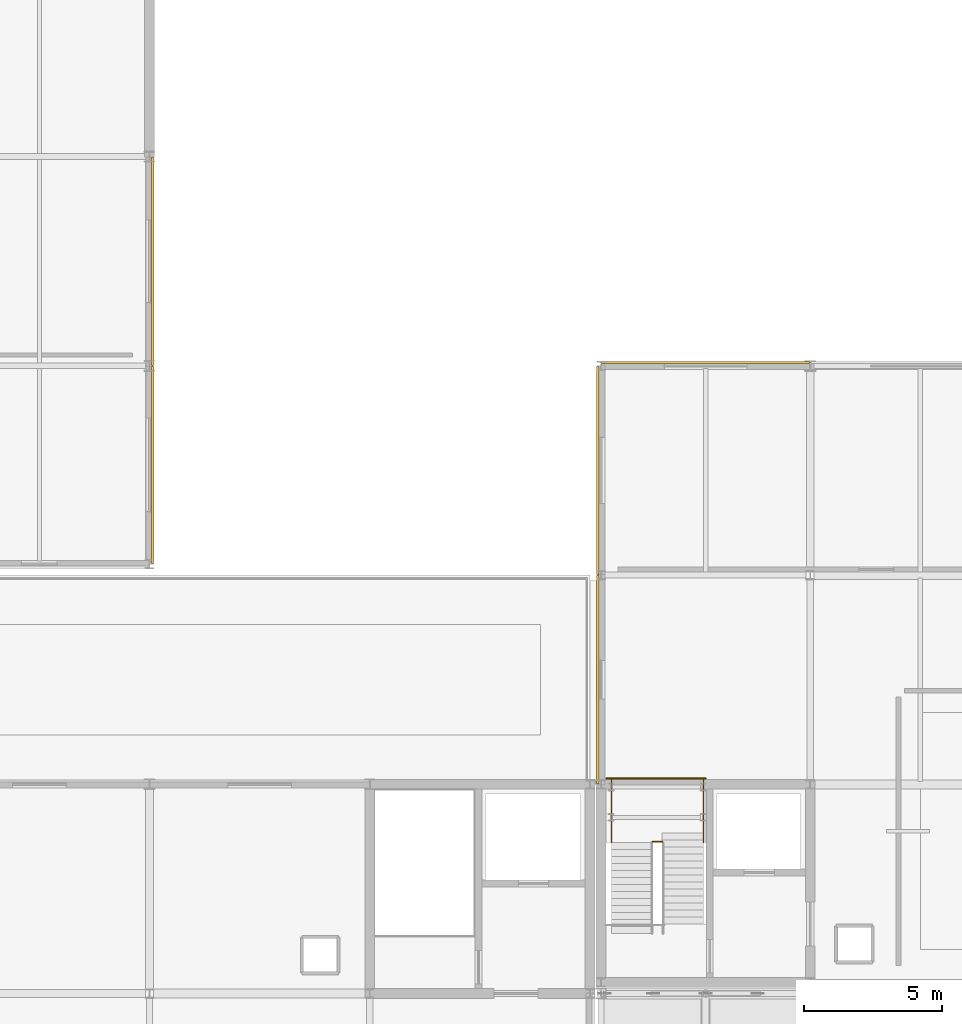
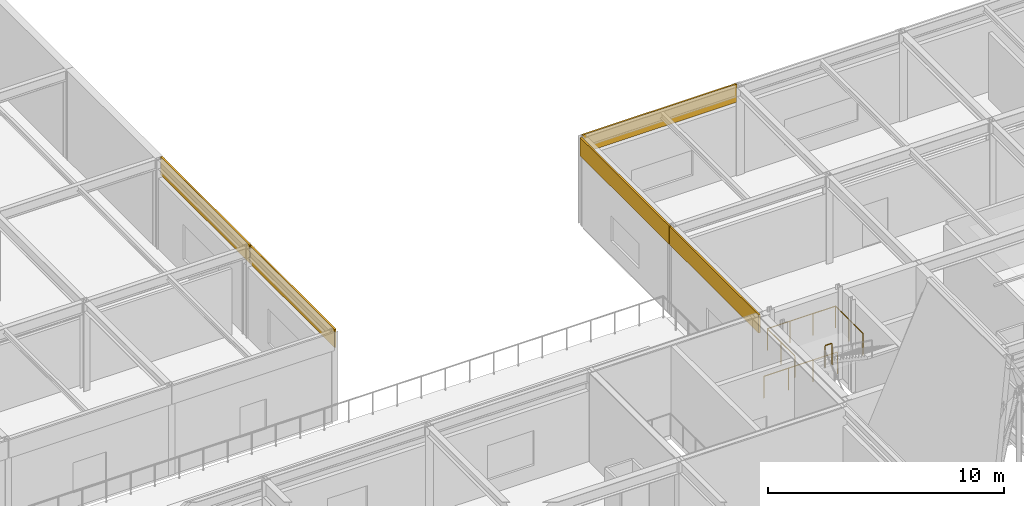
# One storey, part 98 of 100: 5 coverings, 3 railings.
"""IFC4 building model written with IfcOpenShell, lengths in metres."""

from ifc_helpers import new_model, si_unit, direction, frame, origin, origin_2d, place, context, subcontext, project, spatial, rectangle, circle, extrude, material, layer, layer_set, type_object, element, save


model = new_model("IFC4")

# Units and contexts
model_context = context("Model", 3, precision=1e-05, world=origin(), true_north=direction((0.0, 1.0)))
body_context = subcontext(model_context, "Body", "Model", "MODEL_VIEW")
ifc_project = project(units=[si_unit("LENGTHUNIT", "METRE"), si_unit("AREAUNIT", "SQUARE_METRE"), si_unit("VOLUMEUNIT", "CUBIC_METRE"), si_unit("PLANEANGLEUNIT", "RADIAN"), si_unit("MASSUNIT", "GRAM", prefix="KILO")], contexts=[model_context])

# Site, building, storey
site_placement = place(None, origin())
site = spatial("IfcSite", under=ifc_project, at=site_placement, CompositionType="ELEMENT")
building_placement = place(site_placement, origin())
building = spatial("IfcBuilding", under=site, at=building_placement, Name="Zulena Civic Courthouse", CompositionType="ELEMENT")
storey_placement = place(building_placement, frame((0.0, 0.0, 20.39990234375)))
storey = spatial("IfcBuildingStorey", under=building, at=storey_placement, Name="L04", CompositionType="ELEMENT", Elevation=20.39990234375)

# Railings
ifc_material_1 = material(Name="Brushed architectural steel ASTM A36", Category="steel")
railing_type = type_object("IfcRailingType", Name="InteriorGuardrail_1150", PredefinedType="GUARDRAIL", material=ifc_material_1)
railing_1_placement = place(storey_placement, frame((124.60009765625, 38.2099609375, 0.0)))
element("IfcRailing", 1, at=railing_1_placement, inside=storey, type_object=railing_type, Name="gr:wellN:K3A:L03", PredefinedType="GUARDRAIL", context=body_context, shape_type="SweptSolid", body=[
    extrude(circle(Radius=0.02392578125, at=origin_2d()), frame((0.00390625, 0.0, 1.1259765625), z_axis=(1.0, 0.0, 0.0), x_axis=(0.0, 1.0, 0.0)), (0.0, 0.0, 1.0), 3.591796875),
    extrude(circle(Radius=0.02099609375, at=origin_2d()), origin(), (0.0, 0.0, 1.0), 1.097900390625),
    extrude(circle(Radius=0.02099609375, at=origin_2d()), frame((1.199951171875, 0.0, 0.0)), (0.0, 0.0, 1.0), 1.097900390625),
    extrude(circle(Radius=0.02099609375, at=origin_2d()), frame((2.39990234375, 0.0, 0.0)), (0.0, 0.0, 1.0), 1.097900390625),
    extrude(circle(Radius=0.02099609375, at=origin_2d()), frame((3.599853515625, 0.0, 0.0)), (0.0, 0.0, 1.0), 1.097900390625),
])
railing_2_placement = place(storey_placement, frame((124.780029296875, 35.89453125, 2.400146484375)))
element("IfcRailing", 2, at=railing_2_placement, inside=storey, type_object=railing_type, Name="gr:lnd:K3A:L04", PredefinedType="GUARDRAIL", context=body_context, shape_type="SweptSolid", body=[
    extrude(circle(Radius=0.02392578125, at=origin_2d()), frame((0.0, 0.00390625, 1.1259765625), z_axis=(0.0, 1.0, 0.0), x_axis=(-1.0, 0.0, 0.0)), (0.0, 0.0, 1.0), 2.3173828125),
    extrude(circle(Radius=0.02392578125, at=origin_2d()), frame((0.00390625, 2.325439453125, 1.1259765625), z_axis=(1.0, 0.0, 0.0), x_axis=(0.0, 1.0, 0.0)), (0.0, 0.0, 1.0), 3.33203125),
    extrude(circle(Radius=0.02392578125, at=origin_2d()), frame((3.340087890625, 2.321533203125, 1.1259765625), z_axis=(0.0, -1.0, 0.0), x_axis=(1.0, 0.0, 0.0)), (0.0, 0.0, 1.0), 2.3173828125),
    extrude(circle(Radius=0.02099609375, at=origin_2d()), origin(), (0.0, 0.0, 1.0), 1.097900390625),
    extrude(circle(Radius=0.02099609375, at=origin_2d()), frame((0.0, 1.16259765625, 0.0)), (0.0, 0.0, 1.0), 1.097900390625),
    extrude(circle(Radius=0.02099609375, at=origin_2d()), frame((0.0, 2.325439453125, 0.0)), (0.0, 0.0, 1.0), 1.097900390625),
    extrude(circle(Radius=0.02099609375, at=origin_2d()), frame((1.11328125, 2.325439453125, 0.0)), (0.0, 0.0, 1.0), 1.097900390625),
    extrude(circle(Radius=0.02099609375, at=origin_2d()), frame((2.226806640625, 2.325439453125, 0.0)), (0.0, 0.0, 1.0), 1.097900390625),
    extrude(circle(Radius=0.02099609375, at=origin_2d()), frame((3.340087890625, 2.325439453125, 0.0)), (0.0, 0.0, 1.0), 1.097900390625),
    extrude(circle(Radius=0.02099609375, at=origin_2d()), frame((3.340087890625, 1.16259765625, 0.0)), (0.0, 0.0, 1.0), 1.097900390625),
    extrude(circle(Radius=0.02099609375, at=origin_2d()), frame((3.340087890625, 0.0, 0.0)), (0.0, 0.0, 1.0), 1.097900390625),
])
railing_3_placement = place(storey_placement, frame((126.280029296875, 35.9150390625, 2.400146484375)))
element("IfcRailing", 3, at=railing_3_placement, inside=storey, type_object=railing_type, Name="gr:lndslot:K3A:L04", PredefinedType="GUARDRAIL", context=body_context, shape_type="SweptSolid", body=[
    extrude(circle(Radius=0.02392578125, at=origin_2d()), frame((0.00390625, 0.0, 1.1259765625), z_axis=(1.0, 0.0, 0.0), x_axis=(0.0, 1.0, 0.0)), (0.0, 0.0, 1.0), 0.33203125),
    extrude(circle(Radius=0.02099609375, at=origin_2d()), origin(), (0.0, 0.0, 1.0), 1.097900390625),
    extrude(circle(Radius=0.02099609375, at=origin_2d()), frame((0.340087890625, 0.0, 0.0)), (0.0, 0.0, 1.0), 1.097900390625),
])

# Coverings
ifc_material_2 = material(Name="White architectural precast concrete C40/50", Category="concrete")
ifc_layer = layer(ifc_material_2, 0.0849609375)
ifc_layer_set = layer_set([ifc_layer], Name="White architectural precast concrete C40/50")
covering_type = type_object("IfcCoveringType", Name="PrecastSpandrelCladding_85", PredefinedType="CLADDING", material=ifc_layer_set)
for number, where, z_axis, x_axis, name in (
    (4, (124.280029296875, 41.800048828125, 3.605224609375), (0.0, 0.0, 1.0), (0.0, 1.0, 0.0), "clad:sp:V3:L04:0:1"),
    (5, (124.280029296875, 49.39990234375, 3.605224609375), (0.0, 0.0, 1.0), (0.0, 1.0, 0.0), "clad:sp:V3:L04:0:2"),
    (6, (128.199951171875, 53.320068359375, 3.605224609375), (0.0, 0.0, 1.0), (1.0, 0.0, 0.0), "clad:sp:V3:L04:1:0"),
    (7, (108.1201171875, 57.0, 3.66015625), (0.0, 0.0, 1.0), (0.0, -1.0, 0.0), "clad:sp:V5:L04:4:4"),
):
    element("IfcCovering", number, at=place(storey_placement, frame(where, z_axis=z_axis, x_axis=x_axis)), inside=storey, type_object=covering_type, Name=name, PredefinedType="CLADDING", context=body_context, shape_type="SweptSolid", body=[
        extrude(rectangle(XDim=7.56005859375, YDim=0.0849609375, at=origin_2d()), origin(), (0.0, 0.0, 1.0), 0.93994140625),
    ])
covering_placement = place(storey_placement, frame((108.1201171875, 49.60009765625, 3.66015625), z_axis=(0.0, 0.0, 1.0), x_axis=(0.0, -1.0, 0.0)))
element("IfcCovering", 8, at=covering_placement, inside=storey, type_object=covering_type, Name="clad:sp:V5:L04:4:5", PredefinedType="CLADDING", context=body_context, shape_type="SweptSolid", body=[
    extrude(rectangle(XDim=7.159912109375, YDim=0.0849609375, at=origin_2d()), origin(), (0.0, 0.0, 1.0), 0.93994140625),
])

save(model, "model.ifc")
